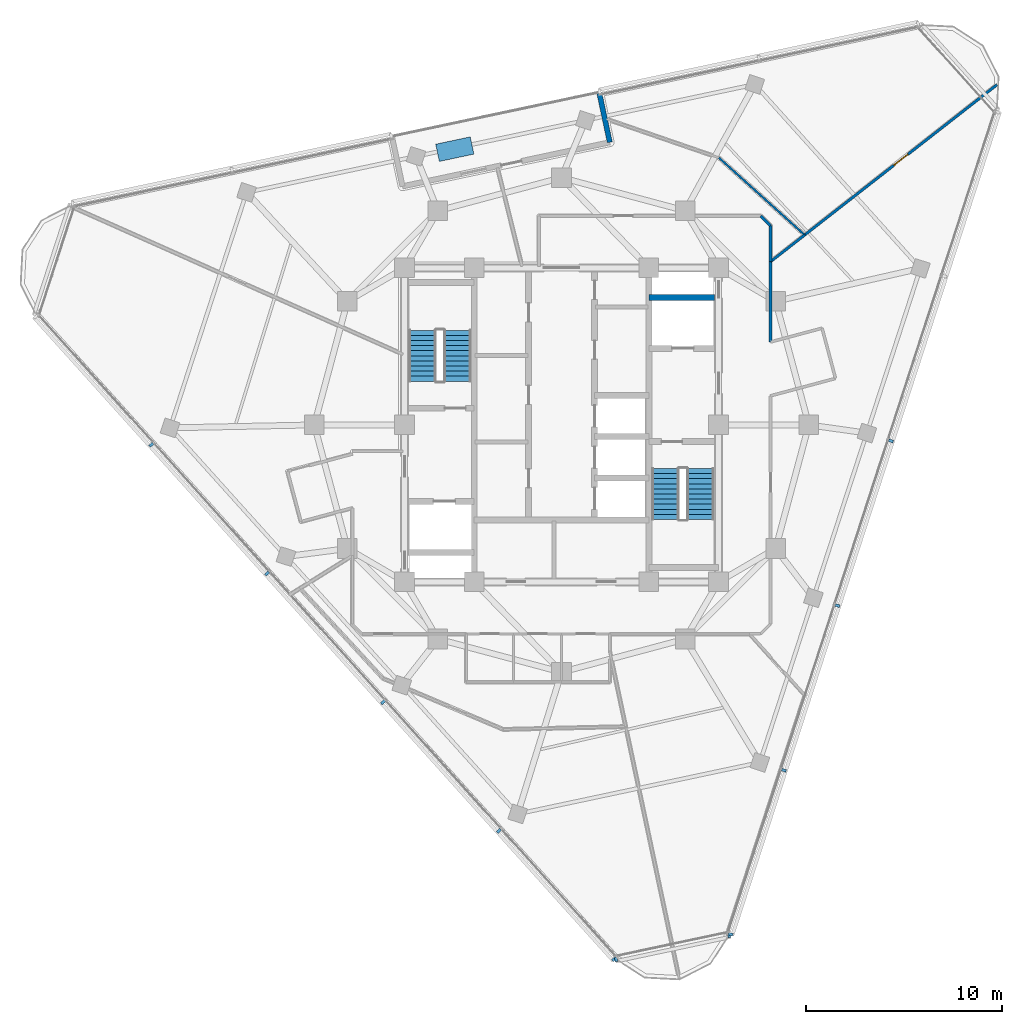
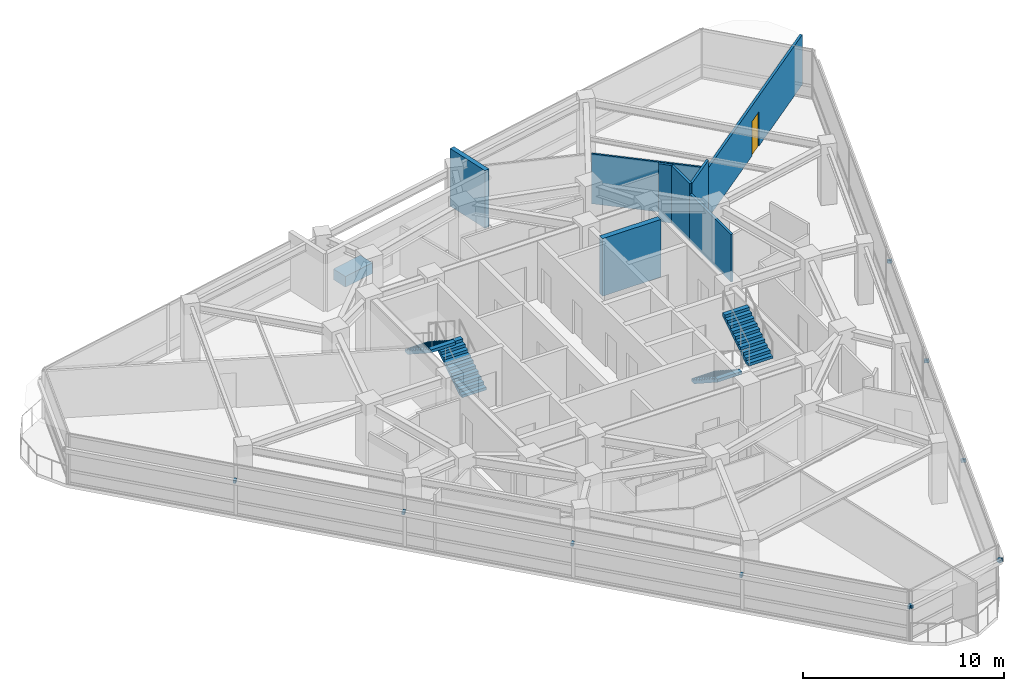
# One storey, part 10 of 15: 12 discrete accessories, 8 walls, 4 stair flights, 1 door, 1 opening, 2 elements without a shape of their own.
"""IFC4 building model written with IfcOpenShell, lengths in metres."""

import ifcopenshell
import ifcopenshell.guid

model = None  # the IFC model being written
_history = None  # IfcOwnerHistory: only IFC2X3 demands one
_inside = {}  # id of a spatial element -> (the spatial element, [elements in it])
_under = {}  # id of a project, library or spatial element -> (it, [spatial elements below it])
_declared = {}  # id of a project -> (the project, [libraries it declares])
_typed = {}  # id of a type object -> (the type object, [elements of that type])
_made_of = {}  # id of a material, layer set ... -> (it, [elements and type objects made of it])


def new_model(schema):
    """Start an empty IFC model of exactly this schema.

    Asked for "IFC4X3", IfcOpenShell would pick the latest addendum, in which some entities
    have other attributes; the version numbers below select the first issue.
    IFC2X3 requires an IfcOwnerHistory on every rooted entity: one is made here for all.
    """
    global model, _history
    if schema == "IFC4X3":
        model = ifcopenshell.file(schema_version=(4, 3, 0, 0))
    else:
        model = ifcopenshell.file(schema=schema)
    _inside.clear()
    _under.clear()
    _declared.clear()
    _typed.clear()
    _made_of.clear()
    _history = None
    if model.schema == "IFC2X3":
        org = make("IfcOrganization", Name="unknown")
        user = make(
            "IfcPersonAndOrganization",
            ThePerson=make("IfcPerson", FamilyName="unknown"),
            TheOrganization=org,
        )
        app = make(
            "IfcApplication",
            ApplicationDeveloper=org,
            Version="unknown",
            ApplicationFullName="unknown",
            ApplicationIdentifier="unknown",
        )
        _history = make(
            "IfcOwnerHistory",
            OwningUser=user,
            OwningApplication=app,
            ChangeAction="ADDED",
            CreationDate=0,
        )
    return model


def make(cls, **values):
    """One entity of the class cls with the attributes given. An attribute that is None is left unset."""
    return model.create_entity(
        cls, **{name: value for name, value in values.items() if value is not None}
    )


def rooted(cls, **values):
    """An entity with a GlobalId (a new one), such as an element, a storey or a relation."""
    return make(cls, GlobalId=ifcopenshell.guid.new(), OwnerHistory=_history, **values)


def si_unit(unit_type, name, prefix=None):
    """IfcSIUnit, for example si_unit("LENGTHUNIT", "METRE", prefix="MILLI")."""
    return make("IfcSIUnit", UnitType=unit_type, Prefix=prefix, Name=name)


def assignment(units):
    """IfcUnitAssignment: the units of a project."""
    return None if units is None else make("IfcUnitAssignment", Units=units)


def point(xyz):
    """IfcCartesianPoint."""
    return None if xyz is None else make("IfcCartesianPoint", Coordinates=xyz)


def direction(xyz):
    """IfcDirection."""
    return None if xyz is None else make("IfcDirection", DirectionRatios=xyz)


def frame(location, z_axis=None, x_axis=None):
    """IfcAxis2Placement3D, a coordinate frame: its origin and axes. An axis left out is left unset."""
    return make(
        "IfcAxis2Placement3D",
        Location=point(location),
        Axis=direction(z_axis),
        RefDirection=direction(x_axis),
    )


def frame_2d(location, x_axis=None):
    """IfcAxis2Placement2D, a coordinate frame in the plane: its origin and x axis."""
    return make(
        "IfcAxis2Placement2D", Location=point(location), RefDirection=direction(x_axis)
    )


def origin():
    """The frame at (0, 0, 0) with its axes left unset."""
    return frame((0.0, 0.0, 0.0))


def origin_2d():
    """The frame at (0, 0) in the plane with its x axis left unset."""
    return frame_2d((0.0, 0.0))


def place(relative_to, where):
    """IfcLocalPlacement: puts the frame where relative to a parent placement (None: the world)."""
    return make(
        "IfcLocalPlacement", PlacementRelTo=relative_to, RelativePlacement=where
    )


def context(
    kind, dimensions, precision=None, world=None, true_north=None, identifier=None
):
    """IfcGeometricRepresentationContext, for example the 3D "Model" context."""
    return make(
        "IfcGeometricRepresentationContext",
        ContextIdentifier=identifier,
        ContextType=kind,
        CoordinateSpaceDimension=dimensions,
        Precision=precision,
        WorldCoordinateSystem=world,
        TrueNorth=true_north,
    )


def subcontext(parent, identifier, kind, view, scale=None):
    """IfcGeometricRepresentationSubContext, for example "Body" below "Model"."""
    return make(
        "IfcGeometricRepresentationSubContext",
        ContextIdentifier=identifier,
        ContextType=kind,
        ParentContext=parent,
        TargetScale=scale,
        TargetView=view,
    )


def project(units=None, contexts=None):
    """IfcProject with its units and contexts."""
    return rooted(
        "IfcProject",
        Name="project",
        RepresentationContexts=contexts,
        UnitsInContext=assignment(units),
    )


def spatial(cls, under=None, at=None, **own):
    """A site, building, storey or space (cls), placed at a placement, below another one or the project."""
    s = rooted(cls, ObjectPlacement=at, **own)
    if under is not None:
        _under.setdefault(under.id(), (under, []))[1].append(s)
    return s


def polyline(points):
    """IfcPolyline through the points."""
    return make("IfcPolyline", Points=[point(p) for p in points])


def profile(cls, at=None, kind="AREA", **sizes):
    """A parametric profile (cls). Its sizes go by their IFC names, for example OverallWidth=200.0."""
    return make(cls, ProfileType=kind, Position=at, **sizes)


def rectangle(**sizes):
    """IfcRectangleProfileDef."""
    return profile("IfcRectangleProfileDef", **sizes)


def outline(outer, holes=None, kind="AREA"):
    """IfcArbitraryClosedProfileDef: a profile drawn as a closed curve; with holes, ...WithVoids."""
    if holes is None:
        return make("IfcArbitraryClosedProfileDef", ProfileType=kind, OuterCurve=outer)
    return make(
        "IfcArbitraryProfileDefWithVoids",
        ProfileType=kind,
        OuterCurve=outer,
        InnerCurves=holes,
    )


def extrude(swept, where, along, depth):
    """IfcExtrudedAreaSolid: the profile swept, set in the frame where, extruded along a direction by depth."""
    return make(
        "IfcExtrudedAreaSolid",
        SweptArea=swept,
        Position=where,
        ExtrudedDirection=direction(along),
        Depth=depth,
    )


def shape(context_of_items, identifier, shape_type, items):
    """IfcShapeRepresentation: the items that make up one representation, for example the "Body"."""
    return make(
        "IfcShapeRepresentation",
        ContextOfItems=context_of_items,
        RepresentationIdentifier=identifier,
        RepresentationType=shape_type,
        Items=items,
    )


def material(Name=None, Category=None):
    """IfcMaterial."""
    return make("IfcMaterial", Name=Name, Category=Category)


def layer(
    of_material, thickness, ventilated=None, Name=None, Category=None, Priority=None
):
    """IfcMaterialLayer: one layer of a wall or slab, of a material (None: an air gap)."""
    return make(
        "IfcMaterialLayer",
        Material=of_material,
        LayerThickness=thickness,
        IsVentilated=ventilated,
        Name=Name,
        Category=Category,
        Priority=Priority,
    )


def layer_set(layers, Name=None):
    """IfcMaterialLayerSet."""
    return make("IfcMaterialLayerSet", MaterialLayers=layers, LayerSetName=Name)


def made_of(thing, what):
    """Note that an element or type object is made of a material, layer set ...; save() writes the relation."""
    if what is not None:
        _made_of.setdefault(what.id(), (what, []))[1].append(thing)
    return thing


def type_object(cls, material=None, **own):
    """A type object (cls), such as IfcWallType, which elements share."""
    return made_of(rooted(cls, **own), material)


def element(
    cls,
    number,
    at=None,
    inside=None,
    cuts=None,
    type_object=None,
    material=None,
    context=None,
    identifier="Body",
    shape_type=None,
    held_by="IfcProductDefinitionShape",
    body=None,
    shapes=None,
    **own,
):
    """One element of the class cls, such as IfcWall. Its Tag is "e" and its number.

    at: its placement. inside: the storey or other place that contains it. cuts: it is an
    opening in that element (IfcRelVoidsElement). A single representation is given by context,
    identifier, shape_type and body (its items); several are given by shapes. held_by: the class
    of the entity that holds the representations. save() writes the other relations.
    """
    e = rooted(cls, Tag="e%d" % number, ObjectPlacement=at, **own)
    if body is not None:
        shapes = [shape(context, identifier, shape_type, body)]
    if shapes is not None:
        e.Representation = make(held_by, Representations=shapes)
    if inside is not None:
        _inside.setdefault(inside.id(), (inside, []))[1].append(e)
    if cuts is not None:
        rooted(
            "IfcRelVoidsElement", RelatingBuildingElement=cuts, RelatedOpeningElement=e
        )
    if type_object is not None:
        _typed.setdefault(type_object.id(), (type_object, []))[1].append(e)
    return made_of(e, material)


def fill(opening, filler):
    """IfcRelFillsElement: the door or window that sits in an opening."""
    return rooted(
        "IfcRelFillsElement",
        RelatingOpeningElement=opening,
        RelatedBuildingElement=filler,
    )


def aggregate(whole, parts):
    """IfcRelAggregates: a whole, such as a stair, and the parts it consists of."""
    return rooted("IfcRelAggregates", RelatingObject=whole, RelatedObjects=parts)


def save(model, path):
    """Write the relations noted so far, then the file.

    IfcRelAggregates (storeys below a building ...), IfcRelContainedInSpatialStructure (elements
    in a storey), IfcRelDefinesByType, IfcRelAssociatesMaterial and IfcRelDeclares: one each for
    every whole, place, type object, material and project.
    """
    for whole, parts in _under.values():
        aggregate(whole, parts)
    for where, things in _inside.values():
        rooted(
            "IfcRelContainedInSpatialStructure",
            RelatedElements=things,
            RelatingStructure=where,
        )
    for kind, things in _typed.values():
        rooted("IfcRelDefinesByType", RelatedObjects=things, RelatingType=kind)
    for what, things in _made_of.values():
        rooted("IfcRelAssociatesMaterial", RelatedObjects=things, RelatingMaterial=what)
    for by, libraries in _declared.values():
        rooted("IfcRelDeclares", RelatingContext=by, RelatedDefinitions=libraries)
    model.write(path)


model = new_model("IFC4")

# Units and contexts
model_context = context("Model", 3, precision=1e-05, world=origin(), true_north=direction((0.0, 1.0)))
body_context = subcontext(model_context, "Body", "Model", "MODEL_VIEW")
ifc_project = project(units=[si_unit("LENGTHUNIT", "METRE"), si_unit("AREAUNIT", "SQUARE_METRE"), si_unit("VOLUMEUNIT", "CUBIC_METRE"), si_unit("PLANEANGLEUNIT", "RADIAN"), si_unit("MASSUNIT", "GRAM", prefix="KILO")], contexts=[model_context])

# Site, building, storey
site_placement = place(None, origin())
site = spatial("IfcSite", under=ifc_project, at=site_placement, CompositionType="ELEMENT")
building_placement = place(site_placement, origin())
building = spatial("IfcBuilding", under=site, at=building_placement, Name="Terralouvre Media Tower", CompositionType="ELEMENT")
storey_placement = place(building_placement, frame((0.0, 0.0, 290.60009765625)))
storey = spatial("IfcBuildingStorey", under=building, at=storey_placement, Name="L75", CompositionType="ELEMENT", Elevation=290.60009765625)

# Walls
ifc_material_1 = material(Name="Concrete C50/60", Category="concrete")
ifc_layer_1 = layer(ifc_material_1, 0.300048828125, Name="Core Internal Shaft Wall CW-300")
ifc_layer_set_1 = layer_set([ifc_layer_1], Name="Concrete C50/60")
wall_type_1 = type_object("IfcWallType", Name="Core Internal Shaft Wall CW-300", PredefinedType="SHEAR", material=ifc_layer_set_1)
wall_1_placement = place(storey_placement, frame((4.449951171875, 6.5, 0.0), z_axis=(0.0, 0.0, 1.0), x_axis=(1.0, 0.0, 0.0)))
element("IfcWall", 1, at=wall_1_placement, inside=storey, type_object=wall_type_1, Name="L75 Core Shaft Wall FF2N", PredefinedType="SHEAR", context=body_context, shape_type="SweptSolid", body=[
    extrude(rectangle(XDim=3.340087890625, YDim=0.300048828125, at=frame_2d((1.669921875, 0.0))), origin(), (0.0, 0.0, 1.0), 3.5),
])
ifc_material_2 = material(Name="Low-iron laminated double glazing with solar-control coating", Category="glass")
ifc_layer_2 = layer(ifc_material_2, 0.10009765625, Name="Demountable Glazed Office Partition PT-GL100")
ifc_layer_set_2 = layer_set([ifc_layer_2], Name="Low-iron laminated double glazing with solar-control coating")
wall_type_2 = type_object("IfcWallType", Name="Demountable Glazed Office Partition PT-GL100", PredefinedType="MOVABLE", material=ifc_layer_set_2)
wall_2_placement = place(storey_placement, frame((8.01904296875, 13.614013671875, 0.0), z_axis=(0.0, 0.0, 1.0), x_axis=(0.743110388877, -0.669168850099, 0.0)))
element("IfcWall", 2, at=wall_2_placement, inside=storey, type_object=wall_type_2, Name="L75 Interior Partition 044", PredefinedType="MOVABLE", context=body_context, shape_type="SweptSolid", body=[
    extrude(rectangle(XDim=5.880615234375, YDim=0.10009765625, at=frame_2d((2.9404296875, 0.0))), origin(), (0.0, 0.0, 1.0), 3.034912109375),
])
ifc_material_3 = material(Name="Fire-rated gypsum board drywall partition")
ifc_layer_3 = layer(ifc_material_3, 0.135009765625, Name="Newsroom Acoustic Partition PT-135")
ifc_layer_set_3 = layer_set([ifc_layer_3], Name="Fire-rated gypsum board drywall partition")
wall_type_3 = type_object("IfcWallType", Name="Newsroom Acoustic Partition PT-135", PredefinedType="PARTITIONING", material=ifc_layer_set_3)
wall_3_placement = place(storey_placement, frame((10.64990234375, 4.22509765625, 0.0), z_axis=(0.0, 0.0, 1.0), x_axis=(0.0, 1.0, 0.0)))
element("IfcWall", 3, at=wall_3_placement, inside=storey, type_object=wall_type_3, Name="L75 Interior Partition 012", PredefinedType="PARTITIONING", context=body_context, shape_type="SweptSolid", body=[
    extrude(rectangle(XDim=4.095947265625, YDim=0.135009765625, at=frame_2d((2.0478515625, 0.0))), origin(), (0.0, 0.0, 1.0), 2.885009765625),
])
wall_4_placement = place(storey_placement, frame((10.64990234375, 8.321044921875, 0.0), z_axis=(0.0, 0.0, 1.0), x_axis=(0.0, 1.0, 0.0)))
element("IfcWall", 4, at=wall_4_placement, inside=storey, type_object=wall_type_3, Name="L75 Interior Partition 020", PredefinedType="PARTITIONING", context=body_context, shape_type="SweptSolid", body=[
    extrude(rectangle(XDim=1.828857421875, YDim=0.135009765625, at=frame_2d((0.91455078125, 0.0))), origin(), (0.0, 0.0, 1.0), 3.5),
])
wall_5_placement = place(storey_placement, frame((10.64990234375, 10.14990234375, 0.0), z_axis=(0.0, 0.0, 1.0), x_axis=(-0.707106781187, 0.707106781187, 0.0)))
element("IfcWall", 5, at=wall_5_placement, inside=storey, type_object=wall_type_3, Name="L75 Interior Partition 021", PredefinedType="PARTITIONING", context=body_context, shape_type="SweptSolid", body=[
    extrude(rectangle(XDim=0.70703125, YDim=0.135009765625, at=frame_2d((0.353515625, 0.0))), origin(), (0.0, 0.0, 1.0), 3.5),
])

# Wall, opening, door
wall_6_placement = place(storey_placement, frame((22.1923828125, 17.33837890625, 0.0), z_axis=(0.0, 0.0, 1.0), x_axis=(-0.788006224946, -0.615667271703, 0.0)))
wall_6 = element("IfcWall", 6, at=wall_6_placement, inside=storey, type_object=wall_type_3, Name="L75 Interior Partition 028", PredefinedType="PARTITIONING", context=body_context, shape_type="SweptSolid", body=[
    extrude(rectangle(XDim=12.44091796875, YDim=0.135009765625, at=frame_2d((6.220458984375, 0.0))), origin(), (0.0, 0.0, 1.0), 3.034912109375),
])
opening_placement = place(wall_6_placement, frame((5.760498046875, 0.0, 0.0)))
opening = element("IfcOpeningElement", 7, at=opening_placement, cuts=wall_6, Name="Opening ID-03-92X210", PredefinedType="OPENING", context=body_context, shape_type="SweptSolid", body=[
    extrude(rectangle(XDim=0.919921875, YDim=2.10009765625, at=frame_2d((0.4599609375, 1.050048828125))), frame((0.0, 0.077392578125, 0.0), z_axis=(0.0, -1.0, 0.0), x_axis=(1.0, 0.0, 0.0)), (0.0, 0.0, 1.0), 0.155029296875),
])
ifc_material_4 = material(Name="Engineered hardwood acoustic timber leaf", Category="wood")
door_type = type_object("IfcDoorType", Name="Accessible Restroom and Suite Door ID-03 (920x2100)", OperationType="NOTDEFINED", PredefinedType="DOOR", material=ifc_material_4)
door_placement = place(opening_placement, origin())
door = element("IfcDoor", 8, at=door_placement, inside=storey, type_object=door_type, Name="L75 Digital Editing Lecture Room 6 Door", OperationType="SINGLE_SWING_LEFT", OverallHeight=2.10009765625, OverallWidth=0.919921875, PredefinedType="DOOR", context=body_context, shape_type="SweptSolid", body=[
    extrude(rectangle(XDim=0.919921875, YDim=2.10009765625, at=frame_2d((0.4599609375, 1.050048828125))), frame((0.0, 0.02490234375, 0.0), z_axis=(0.0, -1.0, 0.0), x_axis=(1.0, 0.0, 0.0)), (0.0, 0.0, 1.0), 0.050048828125),
])
fill(opening, door)

# Walls
wall_7_placement = place(storey_placement, frame((12.388916015625, 9.678955078125, 0.0), z_axis=(0.0, 0.0, 1.0), x_axis=(-0.788177008199, -0.615448619908, 0.0)))
element("IfcWall", 9, at=wall_7_placement, inside=storey, type_object=wall_type_3, Name="L75 Interior Partition 029", PredefinedType="PARTITIONING", context=body_context, shape_type="SweptSolid", body=[
    extrude(rectangle(XDim=2.206298828125, YDim=0.135009765625, at=frame_2d((1.10302734375, 0.0))), origin(), (0.0, 0.0, 1.0), 3.5),
])
ifc_material_5 = material(Name="Kiln-fired architectural terracotta rainscreen cladding", Category="masonry")
ifc_layer_4 = layer(ifc_material_5, 0.260009765625, Name="Recessed Sky-Garden Acoustic Wall EW-SG260")
ifc_layer_set_4 = layer_set([ifc_layer_4], Name="Kiln-fired architectural terracotta rainscreen cladding")
wall_type_4 = type_object("IfcWallType", Name="Recessed Sky-Garden Acoustic Wall EW-SG260", PredefinedType="SOLIDWALL", material=ifc_layer_set_4)
wall_8_placement = place(storey_placement, frame((1.918701171875, 16.945556640625, 0.0), z_axis=(0.0, 0.0, 1.0), x_axis=(0.207893569688, -0.978151452323, 0.0)))
element("IfcWall", 10, at=wall_8_placement, inside=storey, type_object=wall_type_4, Name="L75 WP Pocket Left Cheek Wall", PredefinedType="SOLIDWALL", context=body_context, shape_type="SweptSolid", body=[
    extrude(rectangle(XDim=2.60009765625, YDim=0.260009765625, at=frame_2d((1.300048828125, 0.0))), origin(), (0.0, 0.0, 1.0), 3.5),
])

# Stair, stair flights
ifc_material_6 = material(Name="Concrete C45/55", Category="concrete")
stair_type_1 = type_object("IfcStairType", Name="Dogleg Stair Assembly ST-01", PredefinedType="HALF_TURN_STAIR", material=ifc_material_6)
stair_1_placement = place(storey_placement, origin())
stair_1 = element("IfcStair", 11, at=stair_1_placement, inside=storey, type_object=stair_type_1, Name="L75 Core Pressurised Exit Stair ST-01", PredefinedType="HALF_TURN_STAIR")
ifc_material_7 = material(Name="Concrete C45/55", Category="concrete")
stair_flight_type = type_object("IfcStairFlightType", Name="Reinforced Concrete Stair Flight SF-RC1", PredefinedType="STRAIGHT", material=ifc_material_7)
stair_flight_1_placement = place(storey_placement, frame((-5.300048828125, 2.219970703125, 0.0), z_axis=(0.0, 0.0, 1.0), x_axis=(0.0, 1.0, 0.0)))
stair_flight_1 = element("IfcStairFlight", 12, at=stair_flight_1_placement, type_object=stair_flight_type, Name="ST-01 flight 1", NumberOfRisers=11, NumberOfTreads=10, PredefinedType="STRAIGHT", RiserHeight=0.168181818, TreadLength=0.26, context=body_context, shape_type="SweptSolid", body=[
    extrude(outline(polyline([(0.0, 0.0), (0.0, 0.168212890625), (0.260009765625, 0.168212890625), (0.260009765625, 0.33642578125), (0.52001953125, 0.33642578125), (0.52001953125, 0.504638671875), (0.780029296875, 0.504638671875), (0.780029296875, 0.672607421875), (1.0400390625, 0.672607421875), (1.0400390625, 0.8408203125), (1.300048828125, 0.8408203125), (1.300048828125, 1.009033203125), (1.56005859375, 1.009033203125), (1.56005859375, 1.17724609375), (1.820068359375, 1.17724609375), (1.820068359375, 1.345458984375), (2.080078125, 1.345458984375), (2.080078125, 1.513671875), (2.340087890625, 1.513671875), (2.340087890625, 1.681884765625), (2.60009765625, 1.681884765625), (2.60009765625, 1.85009765625), (2.60009765625, 1.503173828125), (0.27587890625, 0.0), (0.0, 0.0)])), frame((0.0, 0.699951171875, 0.0), z_axis=(0.0, -1.0, 0.0), x_axis=(1.0, 0.0, 0.0)), (0.0, 0.0, 1.0), 1.39990234375),
])
stair_flight_2_placement = place(storey_placement, frame((-7.080078125, 4.820068359375, 1.849853515625), z_axis=(0.0, 0.0, 1.0), x_axis=(0.0, -1.0, 0.0)))
stair_flight_2 = element("IfcStairFlight", 13, at=stair_flight_2_placement, type_object=stair_flight_type, Name="ST-01 flight 2", NumberOfRisers=11, NumberOfTreads=10, PredefinedType="STRAIGHT", RiserHeight=0.168181818, TreadLength=0.26, context=body_context, shape_type="SweptSolid", body=[
    extrude(outline(polyline([(0.0, 0.0), (0.0, 0.168212890625), (0.260009765625, 0.168212890625), (0.260009765625, 0.33642578125), (0.52001953125, 0.33642578125), (0.52001953125, 0.504638671875), (0.780029296875, 0.504638671875), (0.780029296875, 0.672607421875), (1.0400390625, 0.672607421875), (1.0400390625, 0.8408203125), (1.300048828125, 0.8408203125), (1.300048828125, 1.009033203125), (1.56005859375, 1.009033203125), (1.56005859375, 1.17724609375), (1.820068359375, 1.17724609375), (1.820068359375, 1.345458984375), (2.080078125, 1.345458984375), (2.080078125, 1.513671875), (2.340087890625, 1.513671875), (2.340087890625, 1.681884765625), (2.60009765625, 1.681884765625), (2.60009765625, 1.85009765625), (2.60009765625, 1.503173828125), (0.27587890625, 0.0), (0.0, 0.0)])), frame((0.0, 0.699951171875, 0.0), z_axis=(0.0, -1.0, 0.0), x_axis=(1.0, 0.0, 0.0)), (0.0, 0.0, 1.0), 1.39990234375),
])
aggregate(stair_1, [stair_flight_1, stair_flight_2])

ifc_material_8 = material(Name="Concrete C45/55", Category="concrete")
stair_type_2 = type_object("IfcStairType", Name="Dogleg Stair Assembly ST-02", PredefinedType="HALF_TURN_STAIR", material=ifc_material_8)
stair_2_placement = place(storey_placement, origin())
stair_2 = element("IfcStair", 14, at=stair_2_placement, inside=storey, type_object=stair_type_2, Name="L75 Core Pressurised Exit Stair ST-02", PredefinedType="HALF_TURN_STAIR")
stair_flight_3_placement = place(storey_placement, frame((5.300048828125, -2.219970703125, 0.0), z_axis=(0.0, 0.0, 1.0), x_axis=(0.0, -1.0, 0.0)))
stair_flight_3 = element("IfcStairFlight", 15, at=stair_flight_3_placement, type_object=stair_flight_type, Name="ST-02 flight 1", NumberOfRisers=11, NumberOfTreads=10, PredefinedType="STRAIGHT", RiserHeight=0.168181818, TreadLength=0.26, context=body_context, shape_type="SweptSolid", body=[
    extrude(outline(polyline([(0.0, 0.0), (0.0, 0.168212890625), (0.260009765625, 0.168212890625), (0.260009765625, 0.33642578125), (0.52001953125, 0.33642578125), (0.52001953125, 0.504638671875), (0.780029296875, 0.504638671875), (0.780029296875, 0.672607421875), (1.0400390625, 0.672607421875), (1.0400390625, 0.8408203125), (1.300048828125, 0.8408203125), (1.300048828125, 1.009033203125), (1.56005859375, 1.009033203125), (1.56005859375, 1.17724609375), (1.820068359375, 1.17724609375), (1.820068359375, 1.345458984375), (2.080078125, 1.345458984375), (2.080078125, 1.513671875), (2.340087890625, 1.513671875), (2.340087890625, 1.681884765625), (2.60009765625, 1.681884765625), (2.60009765625, 1.85009765625), (2.60009765625, 1.503173828125), (0.27587890625, 0.0), (0.0, 0.0)])), frame((0.0, 0.699951171875, 0.0), z_axis=(0.0, -1.0, 0.0), x_axis=(1.0, 0.0, 0.0)), (0.0, 0.0, 1.0), 1.39990234375),
])
stair_flight_4_placement = place(storey_placement, frame((7.080078125, -4.820068359375, 1.849853515625), z_axis=(0.0, 0.0, 1.0), x_axis=(0.0, 1.0, 0.0)))
stair_flight_4 = element("IfcStairFlight", 16, at=stair_flight_4_placement, type_object=stair_flight_type, Name="ST-02 flight 2", NumberOfRisers=11, NumberOfTreads=10, PredefinedType="STRAIGHT", RiserHeight=0.168181818, TreadLength=0.26, context=body_context, shape_type="SweptSolid", body=[
    extrude(outline(polyline([(0.0, 0.0), (0.0, 0.168212890625), (0.260009765625, 0.168212890625), (0.260009765625, 0.33642578125), (0.52001953125, 0.33642578125), (0.52001953125, 0.504638671875), (0.780029296875, 0.504638671875), (0.780029296875, 0.672607421875), (1.0400390625, 0.672607421875), (1.0400390625, 0.8408203125), (1.300048828125, 0.8408203125), (1.300048828125, 1.009033203125), (1.56005859375, 1.009033203125), (1.56005859375, 1.17724609375), (1.820068359375, 1.17724609375), (1.820068359375, 1.345458984375), (2.080078125, 1.345458984375), (2.080078125, 1.513671875), (2.340087890625, 1.513671875), (2.340087890625, 1.681884765625), (2.60009765625, 1.681884765625), (2.60009765625, 1.85009765625), (2.60009765625, 1.503173828125), (0.27587890625, 0.0), (0.0, 0.0)])), frame((0.0, 0.699951171875, 0.0), z_axis=(0.0, -1.0, 0.0), x_axis=(1.0, 0.0, 0.0)), (0.0, 0.0, 1.0), 1.39990234375),
])
aggregate(stair_2, [stair_flight_3, stair_flight_4])

# Discrete accessories
ifc_material_9 = material(Name="Anodised extruded aluminium 6063-T6", Category="aluminium")
discrete_accessory_type_1 = type_object("IfcDiscreteAccessoryType", Name="Mullion Stand-Off Baguette Fixing Bracket BK-01", PredefinedType="BRACKET", material=ifc_material_9)
for number, where, z_axis, x_axis, name in (
    (17, (8.617431640625, -25.955810546875, 2.07373046875), (0.0, 0.0, 1.0), (0.309017021946, 0.951056507337, 0.0), "CW-L75-F0 Baguette Outrigger Bracket 1.01"),
    (18, (11.33251953125, -17.599365234375, 2.07373046875), (0.0, 0.0, 1.0), (0.309017021946, 0.951056507337, 0.0), "CW-L75-F0 Baguette Outrigger Bracket 1.02"),
    (19, (14.059326171875, -9.207275390625, 2.07373046875), (0.0, 0.0, 1.0), (0.309017021946, 0.951056507337, 0.0), "CW-L75-F0 Baguette Outrigger Bracket 1.03"),
    (20, (16.7861328125, -0.815185546875, 2.07373046875), (0.0, 0.0, 1.0), (0.309017021946, 0.951056507337, 0.0), "CW-L75-F0 Baguette Outrigger Bracket 1.04"),
    (21, (-20.90771484375, -1.0146484375, 2.07373046875), (0.0, 0.0, 1.0), (0.669130573531, -0.743144855036, 0.0), "CW-L75-F2 Baguette Outrigger Bracket 1.02"),
    (22, (-15.00341796875, -7.572021484375, 2.07373046875), (0.0, 0.0, 1.0), (0.669130573531, -0.743144855036, 0.0), "CW-L75-F2 Baguette Outrigger Bracket 1.03"),
    (23, (-9.098876953125, -14.129638671875, 2.07373046875), (0.0, 0.0, 1.0), (0.669130573531, -0.743144855036, 0.0), "CW-L75-F2 Baguette Outrigger Bracket 1.04"),
    (24, (-3.194580078125, -20.68701171875, 2.07373046875), (0.0, 0.0, 1.0), (0.669130573531, -0.743144855036, 0.0), "CW-L75-F2 Baguette Outrigger Bracket 1.05"),
    (25, (2.684814453125, -27.216796875, 2.07373046875), (0.0, 0.0, 1.0), (0.669130573531, -0.743144855036, 0.0), "CW-L75-F2 Baguette Outrigger Bracket 1.06"),
    (26, (2.780517578125, -27.229736328125, 2.07373046875), (0.0, 0.0, 1.0), (0.978147609922, 0.207911647592, 0.0), "CW-L75-C0 Baguette Outrigger Bracket 1.01"),
    (27, (8.53515625, -26.00634765625, 2.07373046875), (0.0, 0.0, 1.0), (0.978147609922, 0.207911647592, 0.0), "CW-L75-C0 Baguette Outrigger Bracket 1.02"),
):
    element("IfcDiscreteAccessory", number, at=place(storey_placement, frame(where, z_axis=z_axis, x_axis=x_axis)), inside=storey, type_object=discrete_accessory_type_1, Name=name, PredefinedType="BRACKET", context=body_context, shape_type="SweptSolid", body=[
        extrude(rectangle(XDim=0.139892578125, YDim=0.239990234375, at=origin_2d()), origin(), (0.0, 0.0, 1.0), 0.179931640625),
    ])
ifc_material_10 = material(Name="Kiln-fired architectural terracotta rainscreen cladding", Category="masonry")
discrete_accessory_type_2 = type_object("IfcDiscreteAccessoryType", Name="Planted Tropical Garden Bed Planter PLT-01", PredefinedType="USERDEFINED", material=ifc_material_10)
discrete_accessory_placement = place(storey_placement, frame((-5.4404296875, 14.05224609375, -0.005126953125), z_axis=(0.0, 0.0, 1.0), x_axis=(-0.978147555117, -0.207911905429, 0.0)))
element("IfcDiscreteAccessory", 28, at=discrete_accessory_placement, inside=storey, type_object=discrete_accessory_type_2, Name="L75 WP Planted Garden Bed Planter", ObjectType="PLANTER", PredefinedType="USERDEFINED", context=body_context, shape_type="SweptSolid", body=[
    extrude(rectangle(XDim=1.800048828125, YDim=0.89990234375, at=origin_2d()), origin(), (0.0, 0.0, 1.0), 0.64990234375),
])

save(model, "model.ifc")
